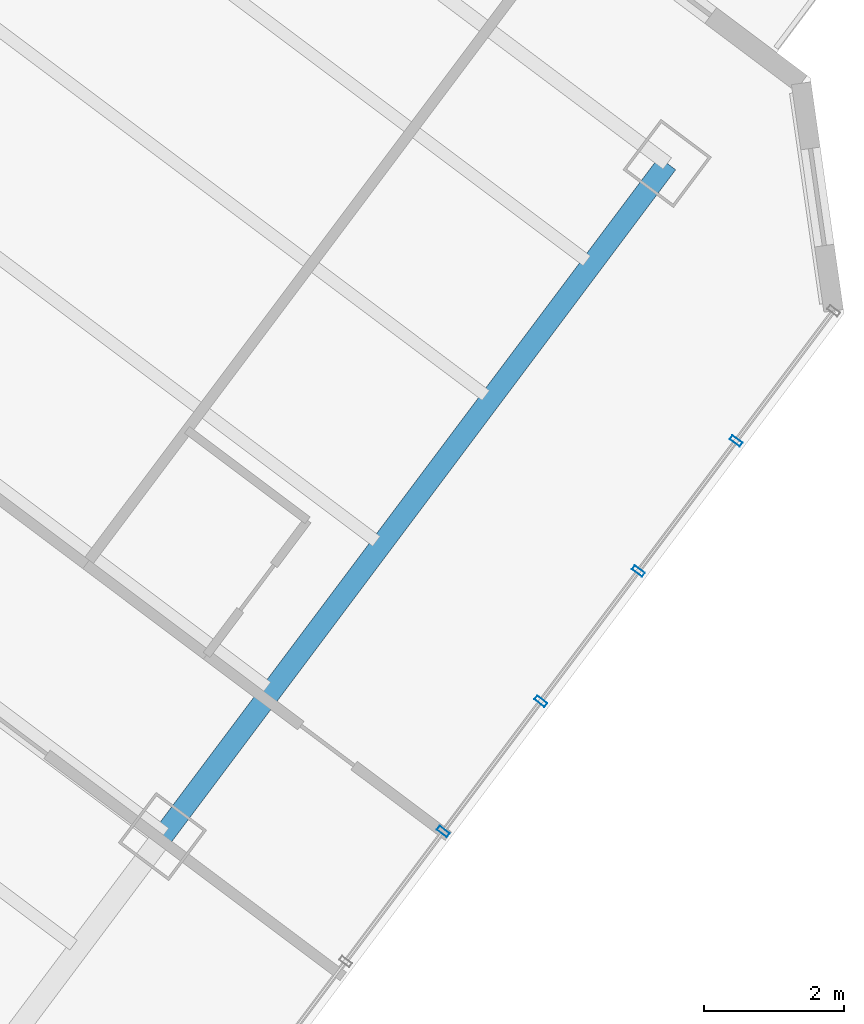
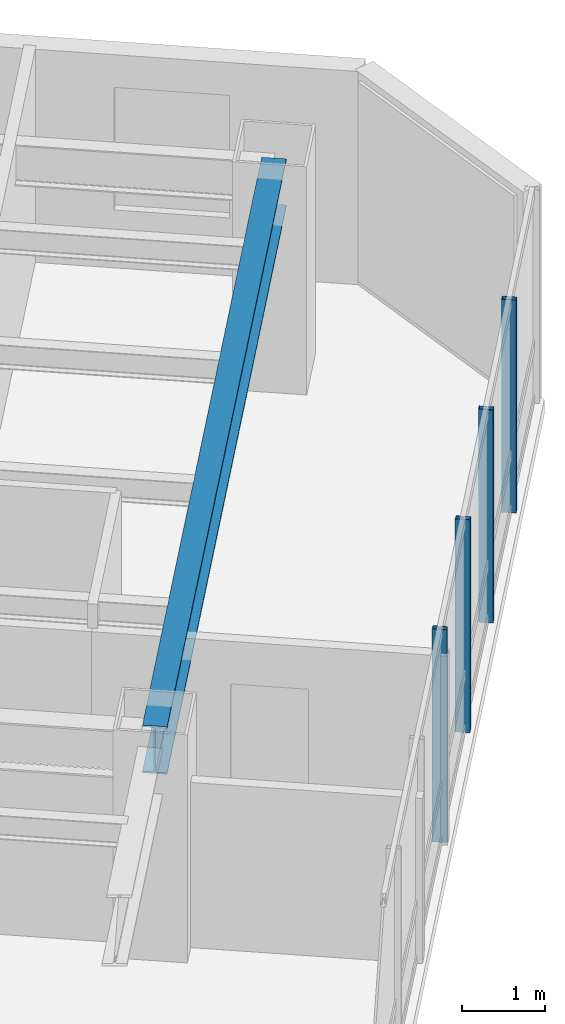
# One storey, part 16 of 36: 4 members, 1 beam, 1 element without a shape of its own.
"""IFC4 building model written with IfcOpenShell, lengths in metres."""

from ifc_helpers import new_model, si_unit, direction, frame, origin, origin_2d, place, context, subcontext, project, spatial, hollow_rectangle, i_section, extrude, material, layer, layer_set, material_profile, profile_set, type_object, element, aggregate, save


model = new_model("IFC4")

# Units and contexts
model_context = context("Model", 3, precision=1e-05, world=origin(), true_north=direction((0.0, 1.0)))
body_context = subcontext(model_context, "Body", "Model", "MODEL_VIEW")
ifc_project = project(units=[si_unit("LENGTHUNIT", "METRE"), si_unit("AREAUNIT", "SQUARE_METRE"), si_unit("VOLUMEUNIT", "CUBIC_METRE"), si_unit("PLANEANGLEUNIT", "RADIAN"), si_unit("MASSUNIT", "GRAM", prefix="KILO")], contexts=[model_context])

# Site, building, storey
site_placement = place(None, origin())
site = spatial("IfcSite", under=ifc_project, at=site_placement, CompositionType="ELEMENT")
building_placement = place(site_placement, origin())
building = spatial("IfcBuilding", under=site, at=building_placement, Name="Hatsunagi Terrace Concourse", CompositionType="ELEMENT")
storey_placement = place(building_placement, frame((0.0, 0.0, 84.64990234375)))
storey = spatial("IfcBuildingStorey", under=building, at=storey_placement, Name="L22", CompositionType="ELEMENT", Elevation=84.64990234375)

# Curtain wall, members
ifc_material_1 = material(Name="Anodised Aluminium Alloy 6063-T5", Category="aluminium")
ifc_layer = layer(ifc_material_1, 0.199951171875)
ifc_layer_set = layer_set([ifc_layer], Name="HotelFacade_CW02")
curtain_wall_type = type_object("IfcCurtainWallType", Name="HotelFacade_CW02", PredefinedType="NOTDEFINED", material=ifc_layer_set)
curtain_wall_placement = place(storey_placement, origin())
curtain_wall = element("IfcCurtainWall", 1, at=curtain_wall_placement, inside=storey, type_object=curtain_wall_type, Name="Unitised Curtain Wall CW-02 CW-L22-03", PredefinedType="NOTDEFINED")
ifc_material_2 = material(Name="Anodised Aluminium Alloy 6063-T5", Category="aluminium")
ifc_material_profile_1 = material_profile(ifc_material_2, hollow_rectangle(XDim=0.070068359375, YDim=0.179931640625, WallThickness=0.00390625, at=origin_2d()), Name="ALU-MUL-180x70x4")
ifc_profile_set_1 = profile_set([ifc_material_profile_1], Name="Anodised Aluminium Alloy 6063-T5")
member_type = type_object("IfcMemberType", Name="CurtainWallMullion_180x70", PredefinedType="MULLION", material=ifc_profile_set_1)
member_1_placement = place(storey_placement, frame((67.700927734375, 17.802001953125, 0.0), z_axis=(0.0, 0.0, 1.0), x_axis=(-0.599969314634, -0.800023013105, 0.0)))
member_1 = element("IfcMember", 2, at=member_1_placement, type_object=member_type, Name="Curtain Wall Mullion MUL-02", PredefinedType="MULLION", context=body_context, shape_type="SweptSolid", body=[
    extrude(hollow_rectangle(XDim=0.070068359375, YDim=0.179931640625, WallThickness=0.00390625, at=origin_2d()), origin(), (0.0, 0.0, 1.0), 3.130126953125),
])
member_2_placement = place(storey_placement, frame((66.30908203125, 15.945068359375, 0.0), z_axis=(0.0, 0.0, 1.0), x_axis=(-0.599969314634, -0.800023013105, 0.0)))
member_2 = element("IfcMember", 3, at=member_2_placement, type_object=member_type, Name="Curtain Wall Mullion MUL-02", PredefinedType="MULLION", context=body_context, shape_type="SweptSolid", body=[
    extrude(hollow_rectangle(XDim=0.070068359375, YDim=0.179931640625, WallThickness=0.00390625, at=origin_2d()), origin(), (0.0, 0.0, 1.0), 3.130126953125),
])
member_3_placement = place(storey_placement, frame((64.916015625, 14.089111328125, 0.0), z_axis=(0.0, 0.0, 1.0), x_axis=(-0.599969314634, -0.800023013105, 0.0)))
member_3 = element("IfcMember", 4, at=member_3_placement, type_object=member_type, Name="Curtain Wall Mullion MUL-02", PredefinedType="MULLION", context=body_context, shape_type="SweptSolid", body=[
    extrude(hollow_rectangle(XDim=0.070068359375, YDim=0.179931640625, WallThickness=0.00390625, at=origin_2d()), origin(), (0.0, 0.0, 1.0), 3.130126953125),
])
member_4_placement = place(storey_placement, frame((63.52392578125, 12.23193359375, 0.0), z_axis=(0.0, 0.0, 1.0), x_axis=(-0.599969314634, -0.800023013105, 0.0)))
member_4 = element("IfcMember", 5, at=member_4_placement, type_object=member_type, Name="Curtain Wall Mullion MUL-02", PredefinedType="MULLION", context=body_context, shape_type="SweptSolid", body=[
    extrude(hollow_rectangle(XDim=0.070068359375, YDim=0.179931640625, WallThickness=0.00390625, at=origin_2d()), origin(), (0.0, 0.0, 1.0), 3.130126953125),
])
aggregate(curtain_wall, [member_1, member_2, member_3, member_4])

# Beam
ifc_material_3 = material(Name="Steel SN490B", Category="steel")
ifc_material_profile_2 = material_profile(ifc_material_3, i_section(OverallWidth=0.300048828125, OverallDepth=0.699951171875, WebThickness=0.012939453125, FlangeThickness=0.02392578125, FilletRadius=0.02197265625, at=origin_2d()), Name="H-700x300x13x24")
ifc_profile_set_2 = profile_set([ifc_material_profile_2], Name="Steel SN490B")
beam_type = type_object("IfcBeamType", Name="HotelFloorGirder_H_700x300", PredefinedType="BEAM", material=ifc_profile_set_2)
beam_placement = place(storey_placement, frame((59.52001953125, 12.159912109375, 2.780029296875), z_axis=(0.59999348959, 0.800004882766, 0.0), x_axis=(-0.800004882766, 0.59999348959, 0.0)))
element("IfcBeam", 6, at=beam_placement, inside=storey, type_object=beam_type, Name="Beam G-04 BM-L22-SET-3B", PredefinedType="BEAM", context=body_context, shape_type="SweptSolid", body=[
    extrude(i_section(OverallWidth=0.300048828125, OverallDepth=0.699951171875, WebThickness=0.012939453125, FlangeThickness=0.02392578125, FilletRadius=0.02197265625, at=origin_2d()), origin(), (0.0, 0.0, 1.0), 12.0),
])

save(model, "model.ifc")
